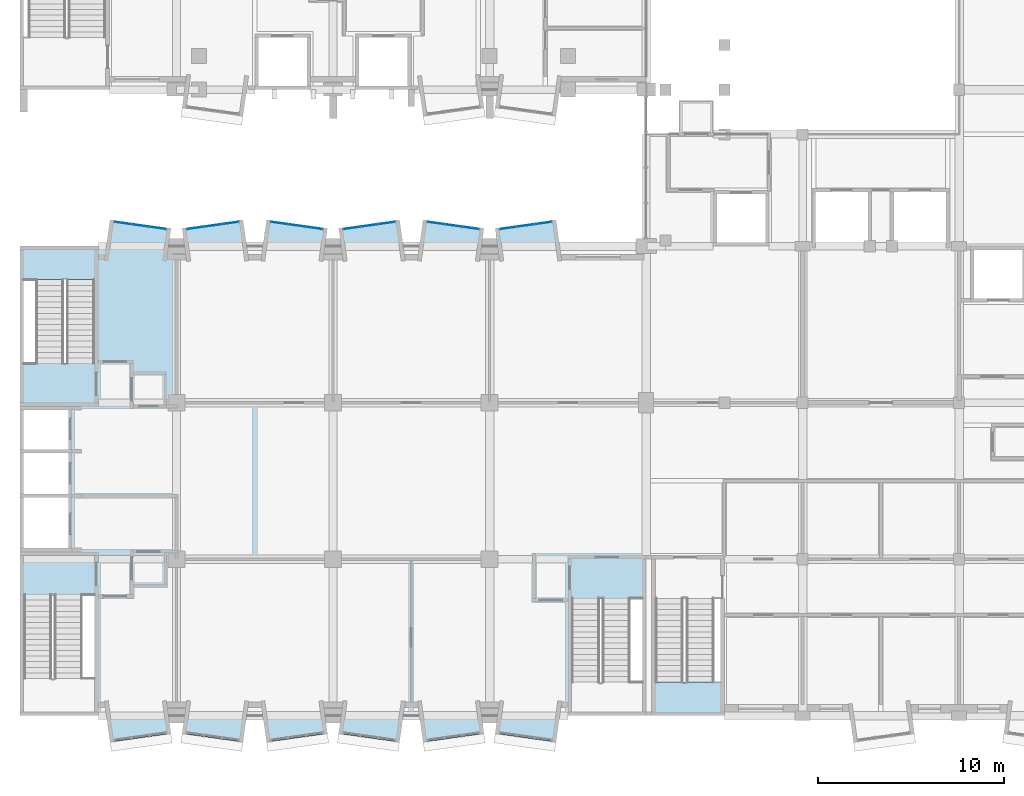
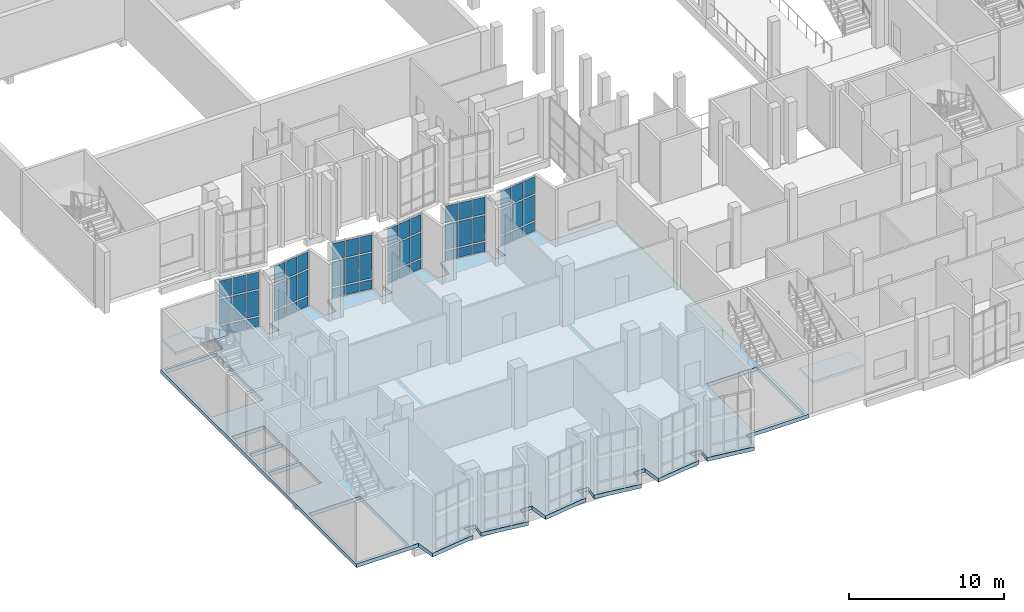
# One storey, part 21 of 91: 54 plates, 3 slabs, 8 elements without a shape of their own.
"""IFC4 building model written with IfcOpenShell, lengths in metres."""

from ifc_helpers import new_model, si_unit, direction, frame, origin, origin_2d, place, context, subcontext, project, spatial, polyline, rectangle, outline, extrude, material, layer, layer_set, type_object, element, aggregate, save


model = new_model("IFC4")

# Units and contexts
model_context = context("Model", 3, precision=1e-05, world=origin(), true_north=direction((0.0, 1.0)))
body_context = subcontext(model_context, "Body", "Model", "MODEL_VIEW")
ifc_project = project(units=[si_unit("LENGTHUNIT", "METRE"), si_unit("AREAUNIT", "SQUARE_METRE"), si_unit("VOLUMEUNIT", "CUBIC_METRE"), si_unit("PLANEANGLEUNIT", "RADIAN"), si_unit("MASSUNIT", "GRAM", prefix="KILO")], contexts=[model_context])

# Site, building, storey
site_placement = place(None, origin())
site = spatial("IfcSite", under=ifc_project, at=site_placement, CompositionType="ELEMENT")
building_placement = place(site_placement, origin())
building = spatial("IfcBuilding", under=site, at=building_placement, Name="Kiln Court Media Centre", CompositionType="ELEMENT")
storey_placement = place(building_placement, frame((0.0, 0.0, 5.39990234375)))
storey = spatial("IfcBuildingStorey", under=building, at=storey_placement, Name="L01", CompositionType="ELEMENT", Elevation=5.39990234375)

# Slab
ifc_material_1 = material(Name="Concrete C30/37", Category="concrete")
ifc_layer_1 = layer(ifc_material_1, 0.300048828125)
ifc_layer_set_1 = layer_set([ifc_layer_1], Name="Concrete C30/37 floor slab 300")
slab_type_1 = type_object("IfcSlabType", Name="Concrete C30/37 floor slab 300", PredefinedType="FLOOR", material=ifc_layer_set_1)
slab_1_placement = place(storey_placement, frame((0.0, 0.0, -0.2998046875)))
element("IfcSlab", 1, at=slab_1_placement, inside=storey, type_object=slab_type_1, Name="L01-SL-1000", PredefinedType="FLOOR", context=body_context, shape_type="SweptSolid", body=[
    extrude(outline(polyline([(4.8330078125, -1.41845703125), (4.63330078125, 0.0), (0.0, 0.0), (0.0, 25.199951171875), (4.63330078125, 25.199951171875), (4.8330078125, 26.618408203125), (8.10107421875, 26.1591796875), (7.966796875, 25.199951171875), (8.833251953125, 25.199951171875), (8.698974609375, 26.1591796875), (11.966796875, 26.618408203125), (12.166748046875, 25.199951171875), (13.033203125, 25.199951171875), (13.233154296875, 26.618408203125), (16.501220703125, 26.1591796875), (16.36669921875, 25.199951171875), (17.2333984375, 25.199951171875), (17.098876953125, 26.1591796875), (20.366943359375, 26.618408203125), (20.566650390625, 25.199951171875), (21.433349609375, 25.199951171875), (21.633056640625, 26.618408203125), (24.901123046875, 26.1591796875), (24.7666015625, 25.199951171875), (25.63330078125, 25.199951171875), (25.498779296875, 26.1591796875), (28.766845703125, 26.618408203125), (28.966796875, 25.199951171875), (33.60009765625, 25.199951171875), (33.60009765625, 0.0), (28.966796875, 0.0), (28.766845703125, -1.41845703125), (25.498779296875, -0.958984375), (25.63330078125, 0.0), (24.7666015625, 0.0), (24.901123046875, -0.959228515625), (21.633056640625, -1.41845703125), (21.433349609375, 0.0), (20.566650390625, 0.0), (20.366943359375, -1.41845703125), (17.098876953125, -0.958984375), (17.2333984375, 0.0), (16.36669921875, 0.0), (16.501220703125, -0.959228515625), (13.233154296875, -1.41845703125), (13.033203125, 0.0), (12.166748046875, 0.0), (11.966796875, -1.41845703125), (8.698974609375, -0.959228515625), (8.833251953125, 0.0), (7.966796875, 0.0), (8.10107421875, -0.958984375), (4.8330078125, -1.41845703125)]), holes=[polyline([(0.199951171875, 0.199951171875), (4.0, 0.199951171875), (4.0, 6.4599609375), (0.199951171875, 6.4599609375), (0.199951171875, 0.199951171875)]), polyline([(29.60009765625, 0.199951171875), (33.39990234375, 0.199951171875), (33.39990234375, 6.260009765625), (29.60009765625, 6.260009765625), (29.60009765625, 0.199951171875)]), polyline([(0.199951171875, 9.0), (2.60009765625, 9.0), (2.60009765625, 11.699951171875), (0.199951171875, 11.699951171875), (0.199951171875, 9.0)]), polyline([(0.199951171875, 11.89990234375), (2.60009765625, 11.89990234375), (2.60009765625, 14.10009765625), (0.199951171875, 14.10009765625), (0.199951171875, 11.89990234375)]), polyline([(0.199951171875, 14.300048828125), (2.60009765625, 14.300048828125), (2.60009765625, 16.39990234375), (0.199951171875, 16.39990234375), (0.199951171875, 14.300048828125)]), polyline([(0.199951171875, 18.93994140625), (4.0, 18.93994140625), (4.0, 25.0), (0.199951171875, 25.0), (0.199951171875, 18.93994140625)])]), origin(), (0.0, 0.0, 1.0), 0.2998046875),
])

# Stair, slab
ifc_material_2 = material(Name="Concrete C40/50", Category="concrete")
stair_type = type_object("IfcStairType", Name="Concrete C40/50 dog-leg stair 1500 wide, 150 riser", PredefinedType="HALF_TURN_STAIR", material=ifc_material_2)
stair_1_placement = place(storey_placement, origin())
stair_1 = element("IfcStair", 2, at=stair_1_placement, inside=storey, type_object=stair_type, Name="ST-02 L01", PredefinedType="HALF_TURN_STAIR")
ifc_material_3 = material(Name="Concrete C40/50", Category="concrete")
ifc_layer_2 = layer(ifc_material_3, 0.199951171875)
ifc_layer_set_2 = layer_set([ifc_layer_2], Name="Concrete C40/50 stair landing 200")
slab_type_2 = type_object("IfcSlabType", Name="Concrete C40/50 stair landing 200", PredefinedType="LANDING", material=ifc_layer_set_2)
slab_2_placement = place(storey_placement, frame((0.0, 0.0, 2.2001953125)))
slab_2 = element("IfcSlab", 3, at=slab_2_placement, type_object=slab_type_2, Name="L01-ST-5001 landing 5001", PredefinedType="LANDING", context=body_context, shape_type="SweptSolid", body=[
    extrude(outline(polyline([(4.1201171875, 23.39990234375), (4.1201171875, 25.1201171875), (0.080078125, 25.1201171875), (0.080078125, 23.39990234375), (4.1201171875, 23.39990234375)])), origin(), (0.0, 0.0, 1.0), 0.199951171875),
])
aggregate(stair_1, [slab_2])

stair_2_placement = place(storey_placement, origin())
stair_2 = element("IfcStair", 4, at=stair_2_placement, inside=storey, type_object=stair_type, Name="ST-04 L01", PredefinedType="HALF_TURN_STAIR")
slab_3_placement = place(storey_placement, frame((0.0, 0.0, 2.2001953125)))
slab_3 = element("IfcSlab", 5, at=slab_3_placement, type_object=slab_type_2, Name="L01-ST-5003 landing 5003", PredefinedType="LANDING", context=body_context, shape_type="SweptSolid", body=[
    extrude(outline(polyline([(33.97998046875, 1.800048828125), (33.97998046875, 0.080078125), (37.719970703125, 0.080078125), (37.719970703125, 1.800048828125), (33.97998046875, 1.800048828125)])), origin(), (0.0, 0.0, 1.0), 0.199951171875),
])
aggregate(stair_2, [slab_3])

# Curtain wall, plates
ifc_material_4 = material(Name="Aluminium 6063-T6", Category="aluminium")
ifc_layer_3 = layer(ifc_material_4, 0.1201171875)
ifc_layer_set_3 = layer_set([ifc_layer_3], Name="Aluminium unitised bay curtain wall")
curtain_wall_type = type_object("IfcCurtainWallType", Name="Aluminium unitised bay curtain wall", PredefinedType="USERDEFINED", material=ifc_layer_set_3)
curtain_wall_1_placement = place(storey_placement, origin())
curtain_wall_1 = element("IfcCurtainWall", 6, at=curtain_wall_1_placement, inside=storey, type_object=curtain_wall_type, Name="BAY V6A-N-L01-02 front", ObjectType="UNITISED CURTAIN WALL", PredefinedType="USERDEFINED")
ifc_material_5 = material(Name="Aluminium insulated spandrel", Category="aluminium")
ifc_layer_4 = layer(ifc_material_5, 0.028076171875)
ifc_layer_set_4 = layer_set([ifc_layer_4], Name="Insulated spandrel panel 28")
plate_type_1 = type_object("IfcPlateType", Name="Insulated spandrel panel 28", PredefinedType="CURTAIN_PANEL", material=ifc_layer_set_4)
plate_1_placement = place(storey_placement, frame((5.5234375, 26.440185546875, 0.1201171875), z_axis=(0.0, 0.0, 1.0), x_axis=(0.990269562409, -0.139162472554, 0.0)))
plate_1 = element("IfcPlate", 7, at=plate_1_placement, type_object=plate_type_1, Name="CW1-04 panel 1.1", PredefinedType="CURTAIN_PANEL", context=body_context, shape_type="SweptSolid", body=[
    extrude(rectangle(XDim=0.86669921875, YDim=0.028076171875, at=origin_2d()), origin(), (0.0, 0.0, 1.0), 0.719970703125),
])
plate_2_placement = place(storey_placement, frame((6.455810546875, 26.30908203125, 0.1201171875), z_axis=(0.0, 0.0, 1.0), x_axis=(0.990269562409, -0.139162472554, 0.0)))
plate_2 = element("IfcPlate", 8, at=plate_2_placement, type_object=plate_type_1, Name="CW1-04 panel 2.1", PredefinedType="CURTAIN_PANEL", context=body_context, shape_type="SweptSolid", body=[
    extrude(rectangle(XDim=0.896728515625, YDim=0.028076171875, at=origin_2d()), origin(), (0.0, 0.0, 1.0), 0.719970703125),
])
plate_3_placement = place(storey_placement, frame((7.388427734375, 26.177978515625, 0.1201171875), z_axis=(0.0, 0.0, 1.0), x_axis=(0.990269562409, -0.139162472554, 0.0)))
plate_3 = element("IfcPlate", 9, at=plate_3_placement, type_object=plate_type_1, Name="CW1-04 panel 3.1", PredefinedType="CURTAIN_PANEL", context=body_context, shape_type="SweptSolid", body=[
    extrude(rectangle(XDim=0.86669921875, YDim=0.028076171875, at=origin_2d()), origin(), (0.0, 0.0, 1.0), 0.719970703125),
])

curtain_wall_2_placement = place(storey_placement, origin())
curtain_wall_2 = element("IfcCurtainWall", 10, at=curtain_wall_2_placement, inside=storey, type_object=curtain_wall_type, Name="BAY V6A-N-L01-03 front", ObjectType="UNITISED CURTAIN WALL", PredefinedType="USERDEFINED")
plate_4_placement = place(storey_placement, frame((9.41162109375, 26.177978515625, 0.1201171875), z_axis=(0.0, 0.0, 1.0), x_axis=(0.990269562409, 0.139162472554, 0.0)))
plate_4 = element("IfcPlate", 11, at=plate_4_placement, type_object=plate_type_1, Name="CW1-05 panel 1.1", PredefinedType="CURTAIN_PANEL", context=body_context, shape_type="SweptSolid", body=[
    extrude(rectangle(XDim=0.86669921875, YDim=0.028076171875, at=origin_2d()), origin(), (0.0, 0.0, 1.0), 0.719970703125),
])
plate_5_placement = place(storey_placement, frame((10.34423828125, 26.30908203125, 0.1201171875), z_axis=(0.0, 0.0, 1.0), x_axis=(0.990269562409, 0.139162472554, 0.0)))
plate_5 = element("IfcPlate", 12, at=plate_5_placement, type_object=plate_type_1, Name="CW1-05 panel 2.1", PredefinedType="CURTAIN_PANEL", context=body_context, shape_type="SweptSolid", body=[
    extrude(rectangle(XDim=0.896728515625, YDim=0.028076171875, at=origin_2d()), origin(), (0.0, 0.0, 1.0), 0.719970703125),
])
plate_6_placement = place(storey_placement, frame((11.276611328125, 26.440185546875, 0.1201171875), z_axis=(0.0, 0.0, 1.0), x_axis=(0.990269562409, 0.139162472554, 0.0)))
plate_6 = element("IfcPlate", 13, at=plate_6_placement, type_object=plate_type_1, Name="CW1-05 panel 3.1", PredefinedType="CURTAIN_PANEL", context=body_context, shape_type="SweptSolid", body=[
    extrude(rectangle(XDim=0.86669921875, YDim=0.028076171875, at=origin_2d()), origin(), (0.0, 0.0, 1.0), 0.719970703125),
])

curtain_wall_3_placement = place(storey_placement, origin())
curtain_wall_3 = element("IfcCurtainWall", 14, at=curtain_wall_3_placement, inside=storey, type_object=curtain_wall_type, Name="BAY V6A-N-L01-04 front", ObjectType="UNITISED CURTAIN WALL", PredefinedType="USERDEFINED")
plate_7_placement = place(storey_placement, frame((13.92333984375, 26.440185546875, 0.1201171875), z_axis=(0.0, 0.0, 1.0), x_axis=(0.990269562409, -0.139162472554, 0.0)))
plate_7 = element("IfcPlate", 15, at=plate_7_placement, type_object=plate_type_1, Name="CW1-06 panel 1.1", PredefinedType="CURTAIN_PANEL", context=body_context, shape_type="SweptSolid", body=[
    extrude(rectangle(XDim=0.86669921875, YDim=0.028076171875, at=origin_2d()), origin(), (0.0, 0.0, 1.0), 0.719970703125),
])
plate_8_placement = place(storey_placement, frame((14.85595703125, 26.30908203125, 0.1201171875), z_axis=(0.0, 0.0, 1.0), x_axis=(0.990269562409, -0.139162472554, 0.0)))
plate_8 = element("IfcPlate", 16, at=plate_8_placement, type_object=plate_type_1, Name="CW1-06 panel 2.1", PredefinedType="CURTAIN_PANEL", context=body_context, shape_type="SweptSolid", body=[
    extrude(rectangle(XDim=0.896728515625, YDim=0.028076171875, at=origin_2d()), origin(), (0.0, 0.0, 1.0), 0.719970703125),
])
plate_9_placement = place(storey_placement, frame((15.788330078125, 26.177978515625, 0.1201171875), z_axis=(0.0, 0.0, 1.0), x_axis=(0.990269562409, -0.139162472554, 0.0)))
plate_9 = element("IfcPlate", 17, at=plate_9_placement, type_object=plate_type_1, Name="CW1-06 panel 3.1", PredefinedType="CURTAIN_PANEL", context=body_context, shape_type="SweptSolid", body=[
    extrude(rectangle(XDim=0.86669921875, YDim=0.028076171875, at=origin_2d()), origin(), (0.0, 0.0, 1.0), 0.719970703125),
])

curtain_wall_4_placement = place(storey_placement, origin())
curtain_wall_4 = element("IfcCurtainWall", 18, at=curtain_wall_4_placement, inside=storey, type_object=curtain_wall_type, Name="BAY V6A-N-L01-05 front", ObjectType="UNITISED CURTAIN WALL", PredefinedType="USERDEFINED")
plate_10_placement = place(storey_placement, frame((17.8115234375, 26.177978515625, 0.1201171875), z_axis=(0.0, 0.0, 1.0), x_axis=(0.990269562409, 0.139162472554, 0.0)))
plate_10 = element("IfcPlate", 19, at=plate_10_placement, type_object=plate_type_1, Name="CW1-07 panel 1.1", PredefinedType="CURTAIN_PANEL", context=body_context, shape_type="SweptSolid", body=[
    extrude(rectangle(XDim=0.86669921875, YDim=0.028076171875, at=origin_2d()), origin(), (0.0, 0.0, 1.0), 0.719970703125),
])
plate_11_placement = place(storey_placement, frame((18.744140625, 26.30908203125, 0.1201171875), z_axis=(0.0, 0.0, 1.0), x_axis=(0.990269562409, 0.139162472554, 0.0)))
plate_11 = element("IfcPlate", 20, at=plate_11_placement, type_object=plate_type_1, Name="CW1-07 panel 2.1", PredefinedType="CURTAIN_PANEL", context=body_context, shape_type="SweptSolid", body=[
    extrude(rectangle(XDim=0.896728515625, YDim=0.028076171875, at=origin_2d()), origin(), (0.0, 0.0, 1.0), 0.719970703125),
])
plate_12_placement = place(storey_placement, frame((19.6767578125, 26.440185546875, 0.1201171875), z_axis=(0.0, 0.0, 1.0), x_axis=(0.990269562409, 0.139162472554, 0.0)))
plate_12 = element("IfcPlate", 21, at=plate_12_placement, type_object=plate_type_1, Name="CW1-07 panel 3.1", PredefinedType="CURTAIN_PANEL", context=body_context, shape_type="SweptSolid", body=[
    extrude(rectangle(XDim=0.86669921875, YDim=0.028076171875, at=origin_2d()), origin(), (0.0, 0.0, 1.0), 0.719970703125),
])

curtain_wall_5_placement = place(storey_placement, origin())
curtain_wall_5 = element("IfcCurtainWall", 22, at=curtain_wall_5_placement, inside=storey, type_object=curtain_wall_type, Name="BAY V6A-N-L01-06 front", ObjectType="UNITISED CURTAIN WALL", PredefinedType="USERDEFINED")
plate_13_placement = place(storey_placement, frame((22.3232421875, 26.440185546875, 0.1201171875), z_axis=(0.0, 0.0, 1.0), x_axis=(0.990269562409, -0.139162472554, 0.0)))
plate_13 = element("IfcPlate", 23, at=plate_13_placement, type_object=plate_type_1, Name="CW1-08 panel 1.1", PredefinedType="CURTAIN_PANEL", context=body_context, shape_type="SweptSolid", body=[
    extrude(rectangle(XDim=0.86669921875, YDim=0.028076171875, at=origin_2d()), origin(), (0.0, 0.0, 1.0), 0.719970703125),
])
plate_14_placement = place(storey_placement, frame((23.255859375, 26.30908203125, 0.1201171875), z_axis=(0.0, 0.0, 1.0), x_axis=(0.990269562409, -0.139162472554, 0.0)))
plate_14 = element("IfcPlate", 24, at=plate_14_placement, type_object=plate_type_1, Name="CW1-08 panel 2.1", PredefinedType="CURTAIN_PANEL", context=body_context, shape_type="SweptSolid", body=[
    extrude(rectangle(XDim=0.896728515625, YDim=0.028076171875, at=origin_2d()), origin(), (0.0, 0.0, 1.0), 0.719970703125),
])
plate_15_placement = place(storey_placement, frame((24.1884765625, 26.177978515625, 0.1201171875), z_axis=(0.0, 0.0, 1.0), x_axis=(0.990269562409, -0.139162472554, 0.0)))
plate_15 = element("IfcPlate", 25, at=plate_15_placement, type_object=plate_type_1, Name="CW1-08 panel 3.1", PredefinedType="CURTAIN_PANEL", context=body_context, shape_type="SweptSolid", body=[
    extrude(rectangle(XDim=0.86669921875, YDim=0.028076171875, at=origin_2d()), origin(), (0.0, 0.0, 1.0), 0.719970703125),
])

curtain_wall_6_placement = place(storey_placement, origin())
curtain_wall_6 = element("IfcCurtainWall", 26, at=curtain_wall_6_placement, inside=storey, type_object=curtain_wall_type, Name="BAY V6A-N-L01-07 front", ObjectType="UNITISED CURTAIN WALL", PredefinedType="USERDEFINED")
plate_16_placement = place(storey_placement, frame((26.211669921875, 26.177978515625, 0.1201171875), z_axis=(0.0, 0.0, 1.0), x_axis=(0.990269562409, 0.139162472554, 0.0)))
plate_16 = element("IfcPlate", 27, at=plate_16_placement, type_object=plate_type_1, Name="CW1-09 panel 1.1", PredefinedType="CURTAIN_PANEL", context=body_context, shape_type="SweptSolid", body=[
    extrude(rectangle(XDim=0.86669921875, YDim=0.028076171875, at=origin_2d()), origin(), (0.0, 0.0, 1.0), 0.719970703125),
])
plate_17_placement = place(storey_placement, frame((27.14404296875, 26.30908203125, 0.1201171875), z_axis=(0.0, 0.0, 1.0), x_axis=(0.990269562409, 0.139162472554, 0.0)))
plate_17 = element("IfcPlate", 28, at=plate_17_placement, type_object=plate_type_1, Name="CW1-09 panel 2.1", PredefinedType="CURTAIN_PANEL", context=body_context, shape_type="SweptSolid", body=[
    extrude(rectangle(XDim=0.896728515625, YDim=0.028076171875, at=origin_2d()), origin(), (0.0, 0.0, 1.0), 0.719970703125),
])
plate_18_placement = place(storey_placement, frame((28.07666015625, 26.440185546875, 0.1201171875), z_axis=(0.0, 0.0, 1.0), x_axis=(0.990269562409, 0.139162472554, 0.0)))
plate_18 = element("IfcPlate", 29, at=plate_18_placement, type_object=plate_type_1, Name="CW1-09 panel 3.1", PredefinedType="CURTAIN_PANEL", context=body_context, shape_type="SweptSolid", body=[
    extrude(rectangle(XDim=0.86669921875, YDim=0.028076171875, at=origin_2d()), origin(), (0.0, 0.0, 1.0), 0.719970703125),
])

# Plate
ifc_material_6 = material(Name="Low-E double glazing", Category="glass")
ifc_layer_5 = layer(ifc_material_6, 0.028076171875)
ifc_layer_set_5 = layer_set([ifc_layer_5], Name="Low-E double glazed panel 28")
plate_type_2 = type_object("IfcPlateType", Name="Low-E double glazed panel 28", PredefinedType="CURTAIN_PANEL", material=ifc_layer_set_5)
plate_19_placement = place(storey_placement, frame((5.5234375, 26.440185546875, 0.960205078125), z_axis=(0.0, 0.0, 1.0), x_axis=(0.990269562409, -0.139162472554, 0.0)))
plate_19 = element("IfcPlate", 30, at=plate_19_placement, type_object=plate_type_2, Name="CW1-04 panel 1.2", PredefinedType="CURTAIN_PANEL", context=body_context, shape_type="SweptSolid", body=[
    extrude(rectangle(XDim=0.86669921875, YDim=0.028076171875, at=origin_2d()), origin(), (0.0, 0.0, 1.0), 1.97998046875),
])

plate_20_placement = place(storey_placement, frame((5.5234375, 26.440185546875, 3.06005859375), z_axis=(0.0, 0.0, 1.0), x_axis=(0.990269562409, -0.139162472554, 0.0)))
plate_20 = element("IfcPlate", 31, at=plate_20_placement, type_object=plate_type_2, Name="CW1-04 panel 1.3", PredefinedType="CURTAIN_PANEL", context=body_context, shape_type="SweptSolid", body=[
    extrude(rectangle(XDim=0.86669921875, YDim=0.028076171875, at=origin_2d()), origin(), (0.0, 0.0, 1.0), 1.320068359375),
])

plate_21_placement = place(storey_placement, frame((6.455810546875, 26.30908203125, 0.960205078125), z_axis=(0.0, 0.0, 1.0), x_axis=(0.990269562409, -0.139162472554, 0.0)))
plate_21 = element("IfcPlate", 32, at=plate_21_placement, type_object=plate_type_2, Name="CW1-04 panel 2.2", PredefinedType="CURTAIN_PANEL", context=body_context, shape_type="SweptSolid", body=[
    extrude(rectangle(XDim=0.896728515625, YDim=0.028076171875, at=origin_2d()), origin(), (0.0, 0.0, 1.0), 1.97998046875),
])

plate_22_placement = place(storey_placement, frame((6.455810546875, 26.30908203125, 3.06005859375), z_axis=(0.0, 0.0, 1.0), x_axis=(0.990269562409, -0.139162472554, 0.0)))
plate_22 = element("IfcPlate", 33, at=plate_22_placement, type_object=plate_type_2, Name="CW1-04 panel 2.3", PredefinedType="CURTAIN_PANEL", context=body_context, shape_type="SweptSolid", body=[
    extrude(rectangle(XDim=0.896728515625, YDim=0.028076171875, at=origin_2d()), origin(), (0.0, 0.0, 1.0), 1.320068359375),
])

plate_23_placement = place(storey_placement, frame((7.388427734375, 26.177978515625, 0.960205078125), z_axis=(0.0, 0.0, 1.0), x_axis=(0.990269562409, -0.139162472554, 0.0)))
plate_23 = element("IfcPlate", 34, at=plate_23_placement, type_object=plate_type_2, Name="CW1-04 panel 3.2", PredefinedType="CURTAIN_PANEL", context=body_context, shape_type="SweptSolid", body=[
    extrude(rectangle(XDim=0.86669921875, YDim=0.028076171875, at=origin_2d()), origin(), (0.0, 0.0, 1.0), 1.97998046875),
])

plate_24_placement = place(storey_placement, frame((7.388427734375, 26.177978515625, 3.06005859375), z_axis=(0.0, 0.0, 1.0), x_axis=(0.990269562409, -0.139162472554, 0.0)))
plate_24 = element("IfcPlate", 35, at=plate_24_placement, type_object=plate_type_2, Name="CW1-04 panel 3.3", PredefinedType="CURTAIN_PANEL", context=body_context, shape_type="SweptSolid", body=[
    extrude(rectangle(XDim=0.86669921875, YDim=0.028076171875, at=origin_2d()), origin(), (0.0, 0.0, 1.0), 1.320068359375),
])

aggregate(curtain_wall_1, [plate_1, plate_19, plate_20, plate_2, plate_21, plate_22, plate_3, plate_23, plate_24])

plate_25_placement = place(storey_placement, frame((9.41162109375, 26.177978515625, 0.960205078125), z_axis=(0.0, 0.0, 1.0), x_axis=(0.990269562409, 0.139162472554, 0.0)))
plate_25 = element("IfcPlate", 36, at=plate_25_placement, type_object=plate_type_2, Name="CW1-05 panel 1.2", PredefinedType="CURTAIN_PANEL", context=body_context, shape_type="SweptSolid", body=[
    extrude(rectangle(XDim=0.86669921875, YDim=0.028076171875, at=origin_2d()), origin(), (0.0, 0.0, 1.0), 1.97998046875),
])

plate_26_placement = place(storey_placement, frame((9.41162109375, 26.177978515625, 3.06005859375), z_axis=(0.0, 0.0, 1.0), x_axis=(0.990269562409, 0.139162472554, 0.0)))
plate_26 = element("IfcPlate", 37, at=plate_26_placement, type_object=plate_type_2, Name="CW1-05 panel 1.3", PredefinedType="CURTAIN_PANEL", context=body_context, shape_type="SweptSolid", body=[
    extrude(rectangle(XDim=0.86669921875, YDim=0.028076171875, at=origin_2d()), origin(), (0.0, 0.0, 1.0), 1.320068359375),
])

plate_27_placement = place(storey_placement, frame((10.34423828125, 26.30908203125, 0.960205078125), z_axis=(0.0, 0.0, 1.0), x_axis=(0.990269562409, 0.139162472554, 0.0)))
plate_27 = element("IfcPlate", 38, at=plate_27_placement, type_object=plate_type_2, Name="CW1-05 panel 2.2", PredefinedType="CURTAIN_PANEL", context=body_context, shape_type="SweptSolid", body=[
    extrude(rectangle(XDim=0.896728515625, YDim=0.028076171875, at=origin_2d()), origin(), (0.0, 0.0, 1.0), 1.97998046875),
])

plate_28_placement = place(storey_placement, frame((10.34423828125, 26.30908203125, 3.06005859375), z_axis=(0.0, 0.0, 1.0), x_axis=(0.990269562409, 0.139162472554, 0.0)))
plate_28 = element("IfcPlate", 39, at=plate_28_placement, type_object=plate_type_2, Name="CW1-05 panel 2.3", PredefinedType="CURTAIN_PANEL", context=body_context, shape_type="SweptSolid", body=[
    extrude(rectangle(XDim=0.896728515625, YDim=0.028076171875, at=origin_2d()), origin(), (0.0, 0.0, 1.0), 1.320068359375),
])

plate_29_placement = place(storey_placement, frame((11.276611328125, 26.440185546875, 0.960205078125), z_axis=(0.0, 0.0, 1.0), x_axis=(0.990269562409, 0.139162472554, 0.0)))
plate_29 = element("IfcPlate", 40, at=plate_29_placement, type_object=plate_type_2, Name="CW1-05 panel 3.2", PredefinedType="CURTAIN_PANEL", context=body_context, shape_type="SweptSolid", body=[
    extrude(rectangle(XDim=0.86669921875, YDim=0.028076171875, at=origin_2d()), origin(), (0.0, 0.0, 1.0), 1.97998046875),
])

plate_30_placement = place(storey_placement, frame((11.276611328125, 26.440185546875, 3.06005859375), z_axis=(0.0, 0.0, 1.0), x_axis=(0.990269562409, 0.139162472554, 0.0)))
plate_30 = element("IfcPlate", 41, at=plate_30_placement, type_object=plate_type_2, Name="CW1-05 panel 3.3", PredefinedType="CURTAIN_PANEL", context=body_context, shape_type="SweptSolid", body=[
    extrude(rectangle(XDim=0.86669921875, YDim=0.028076171875, at=origin_2d()), origin(), (0.0, 0.0, 1.0), 1.320068359375),
])

aggregate(curtain_wall_2, [plate_4, plate_25, plate_26, plate_5, plate_27, plate_28, plate_6, plate_29, plate_30])

plate_31_placement = place(storey_placement, frame((13.92333984375, 26.440185546875, 0.960205078125), z_axis=(0.0, 0.0, 1.0), x_axis=(0.990269562409, -0.139162472554, 0.0)))
plate_31 = element("IfcPlate", 42, at=plate_31_placement, type_object=plate_type_2, Name="CW1-06 panel 1.2", PredefinedType="CURTAIN_PANEL", context=body_context, shape_type="SweptSolid", body=[
    extrude(rectangle(XDim=0.86669921875, YDim=0.028076171875, at=origin_2d()), origin(), (0.0, 0.0, 1.0), 1.97998046875),
])

plate_32_placement = place(storey_placement, frame((13.92333984375, 26.440185546875, 3.06005859375), z_axis=(0.0, 0.0, 1.0), x_axis=(0.990269562409, -0.139162472554, 0.0)))
plate_32 = element("IfcPlate", 43, at=plate_32_placement, type_object=plate_type_2, Name="CW1-06 panel 1.3", PredefinedType="CURTAIN_PANEL", context=body_context, shape_type="SweptSolid", body=[
    extrude(rectangle(XDim=0.86669921875, YDim=0.028076171875, at=origin_2d()), origin(), (0.0, 0.0, 1.0), 1.320068359375),
])

plate_33_placement = place(storey_placement, frame((14.85595703125, 26.30908203125, 0.960205078125), z_axis=(0.0, 0.0, 1.0), x_axis=(0.990269562409, -0.139162472554, 0.0)))
plate_33 = element("IfcPlate", 44, at=plate_33_placement, type_object=plate_type_2, Name="CW1-06 panel 2.2", PredefinedType="CURTAIN_PANEL", context=body_context, shape_type="SweptSolid", body=[
    extrude(rectangle(XDim=0.896728515625, YDim=0.028076171875, at=origin_2d()), origin(), (0.0, 0.0, 1.0), 1.97998046875),
])

plate_34_placement = place(storey_placement, frame((14.85595703125, 26.30908203125, 3.06005859375), z_axis=(0.0, 0.0, 1.0), x_axis=(0.990269562409, -0.139162472554, 0.0)))
plate_34 = element("IfcPlate", 45, at=plate_34_placement, type_object=plate_type_2, Name="CW1-06 panel 2.3", PredefinedType="CURTAIN_PANEL", context=body_context, shape_type="SweptSolid", body=[
    extrude(rectangle(XDim=0.896728515625, YDim=0.028076171875, at=origin_2d()), origin(), (0.0, 0.0, 1.0), 1.320068359375),
])

plate_35_placement = place(storey_placement, frame((15.788330078125, 26.177978515625, 0.960205078125), z_axis=(0.0, 0.0, 1.0), x_axis=(0.990269562409, -0.139162472554, 0.0)))
plate_35 = element("IfcPlate", 46, at=plate_35_placement, type_object=plate_type_2, Name="CW1-06 panel 3.2", PredefinedType="CURTAIN_PANEL", context=body_context, shape_type="SweptSolid", body=[
    extrude(rectangle(XDim=0.86669921875, YDim=0.028076171875, at=origin_2d()), origin(), (0.0, 0.0, 1.0), 1.97998046875),
])

plate_36_placement = place(storey_placement, frame((15.788330078125, 26.177978515625, 3.06005859375), z_axis=(0.0, 0.0, 1.0), x_axis=(0.990269562409, -0.139162472554, 0.0)))
plate_36 = element("IfcPlate", 47, at=plate_36_placement, type_object=plate_type_2, Name="CW1-06 panel 3.3", PredefinedType="CURTAIN_PANEL", context=body_context, shape_type="SweptSolid", body=[
    extrude(rectangle(XDim=0.86669921875, YDim=0.028076171875, at=origin_2d()), origin(), (0.0, 0.0, 1.0), 1.320068359375),
])

aggregate(curtain_wall_3, [plate_7, plate_31, plate_32, plate_8, plate_33, plate_34, plate_9, plate_35, plate_36])

plate_37_placement = place(storey_placement, frame((17.8115234375, 26.177978515625, 0.960205078125), z_axis=(0.0, 0.0, 1.0), x_axis=(0.990269562409, 0.139162472554, 0.0)))
plate_37 = element("IfcPlate", 48, at=plate_37_placement, type_object=plate_type_2, Name="CW1-07 panel 1.2", PredefinedType="CURTAIN_PANEL", context=body_context, shape_type="SweptSolid", body=[
    extrude(rectangle(XDim=0.86669921875, YDim=0.028076171875, at=origin_2d()), origin(), (0.0, 0.0, 1.0), 1.97998046875),
])

plate_38_placement = place(storey_placement, frame((17.8115234375, 26.177978515625, 3.06005859375), z_axis=(0.0, 0.0, 1.0), x_axis=(0.990269562409, 0.139162472554, 0.0)))
plate_38 = element("IfcPlate", 49, at=plate_38_placement, type_object=plate_type_2, Name="CW1-07 panel 1.3", PredefinedType="CURTAIN_PANEL", context=body_context, shape_type="SweptSolid", body=[
    extrude(rectangle(XDim=0.86669921875, YDim=0.028076171875, at=origin_2d()), origin(), (0.0, 0.0, 1.0), 1.320068359375),
])

plate_39_placement = place(storey_placement, frame((18.744140625, 26.30908203125, 0.960205078125), z_axis=(0.0, 0.0, 1.0), x_axis=(0.990269562409, 0.139162472554, 0.0)))
plate_39 = element("IfcPlate", 50, at=plate_39_placement, type_object=plate_type_2, Name="CW1-07 panel 2.2", PredefinedType="CURTAIN_PANEL", context=body_context, shape_type="SweptSolid", body=[
    extrude(rectangle(XDim=0.896728515625, YDim=0.028076171875, at=origin_2d()), origin(), (0.0, 0.0, 1.0), 1.97998046875),
])

plate_40_placement = place(storey_placement, frame((18.744140625, 26.30908203125, 3.06005859375), z_axis=(0.0, 0.0, 1.0), x_axis=(0.990269562409, 0.139162472554, 0.0)))
plate_40 = element("IfcPlate", 51, at=plate_40_placement, type_object=plate_type_2, Name="CW1-07 panel 2.3", PredefinedType="CURTAIN_PANEL", context=body_context, shape_type="SweptSolid", body=[
    extrude(rectangle(XDim=0.896728515625, YDim=0.028076171875, at=origin_2d()), origin(), (0.0, 0.0, 1.0), 1.320068359375),
])

plate_41_placement = place(storey_placement, frame((19.6767578125, 26.440185546875, 0.960205078125), z_axis=(0.0, 0.0, 1.0), x_axis=(0.990269562409, 0.139162472554, 0.0)))
plate_41 = element("IfcPlate", 52, at=plate_41_placement, type_object=plate_type_2, Name="CW1-07 panel 3.2", PredefinedType="CURTAIN_PANEL", context=body_context, shape_type="SweptSolid", body=[
    extrude(rectangle(XDim=0.86669921875, YDim=0.028076171875, at=origin_2d()), origin(), (0.0, 0.0, 1.0), 1.97998046875),
])

plate_42_placement = place(storey_placement, frame((19.6767578125, 26.440185546875, 3.06005859375), z_axis=(0.0, 0.0, 1.0), x_axis=(0.990269562409, 0.139162472554, 0.0)))
plate_42 = element("IfcPlate", 53, at=plate_42_placement, type_object=plate_type_2, Name="CW1-07 panel 3.3", PredefinedType="CURTAIN_PANEL", context=body_context, shape_type="SweptSolid", body=[
    extrude(rectangle(XDim=0.86669921875, YDim=0.028076171875, at=origin_2d()), origin(), (0.0, 0.0, 1.0), 1.320068359375),
])

aggregate(curtain_wall_4, [plate_10, plate_37, plate_38, plate_11, plate_39, plate_40, plate_12, plate_41, plate_42])

plate_43_placement = place(storey_placement, frame((22.3232421875, 26.440185546875, 0.960205078125), z_axis=(0.0, 0.0, 1.0), x_axis=(0.990269562409, -0.139162472554, 0.0)))
plate_43 = element("IfcPlate", 54, at=plate_43_placement, type_object=plate_type_2, Name="CW1-08 panel 1.2", PredefinedType="CURTAIN_PANEL", context=body_context, shape_type="SweptSolid", body=[
    extrude(rectangle(XDim=0.86669921875, YDim=0.028076171875, at=origin_2d()), origin(), (0.0, 0.0, 1.0), 1.97998046875),
])

plate_44_placement = place(storey_placement, frame((22.3232421875, 26.440185546875, 3.06005859375), z_axis=(0.0, 0.0, 1.0), x_axis=(0.990269562409, -0.139162472554, 0.0)))
plate_44 = element("IfcPlate", 55, at=plate_44_placement, type_object=plate_type_2, Name="CW1-08 panel 1.3", PredefinedType="CURTAIN_PANEL", context=body_context, shape_type="SweptSolid", body=[
    extrude(rectangle(XDim=0.86669921875, YDim=0.028076171875, at=origin_2d()), origin(), (0.0, 0.0, 1.0), 1.320068359375),
])

plate_45_placement = place(storey_placement, frame((23.255859375, 26.30908203125, 0.960205078125), z_axis=(0.0, 0.0, 1.0), x_axis=(0.990269562409, -0.139162472554, 0.0)))
plate_45 = element("IfcPlate", 56, at=plate_45_placement, type_object=plate_type_2, Name="CW1-08 panel 2.2", PredefinedType="CURTAIN_PANEL", context=body_context, shape_type="SweptSolid", body=[
    extrude(rectangle(XDim=0.896728515625, YDim=0.028076171875, at=origin_2d()), origin(), (0.0, 0.0, 1.0), 1.97998046875),
])

plate_46_placement = place(storey_placement, frame((23.255859375, 26.30908203125, 3.06005859375), z_axis=(0.0, 0.0, 1.0), x_axis=(0.990269562409, -0.139162472554, 0.0)))
plate_46 = element("IfcPlate", 57, at=plate_46_placement, type_object=plate_type_2, Name="CW1-08 panel 2.3", PredefinedType="CURTAIN_PANEL", context=body_context, shape_type="SweptSolid", body=[
    extrude(rectangle(XDim=0.896728515625, YDim=0.028076171875, at=origin_2d()), origin(), (0.0, 0.0, 1.0), 1.320068359375),
])

plate_47_placement = place(storey_placement, frame((24.1884765625, 26.177978515625, 0.960205078125), z_axis=(0.0, 0.0, 1.0), x_axis=(0.990269562409, -0.139162472554, 0.0)))
plate_47 = element("IfcPlate", 58, at=plate_47_placement, type_object=plate_type_2, Name="CW1-08 panel 3.2", PredefinedType="CURTAIN_PANEL", context=body_context, shape_type="SweptSolid", body=[
    extrude(rectangle(XDim=0.86669921875, YDim=0.028076171875, at=origin_2d()), origin(), (0.0, 0.0, 1.0), 1.97998046875),
])

plate_48_placement = place(storey_placement, frame((24.1884765625, 26.177978515625, 3.06005859375), z_axis=(0.0, 0.0, 1.0), x_axis=(0.990269562409, -0.139162472554, 0.0)))
plate_48 = element("IfcPlate", 59, at=plate_48_placement, type_object=plate_type_2, Name="CW1-08 panel 3.3", PredefinedType="CURTAIN_PANEL", context=body_context, shape_type="SweptSolid", body=[
    extrude(rectangle(XDim=0.86669921875, YDim=0.028076171875, at=origin_2d()), origin(), (0.0, 0.0, 1.0), 1.320068359375),
])

aggregate(curtain_wall_5, [plate_13, plate_43, plate_44, plate_14, plate_45, plate_46, plate_15, plate_47, plate_48])

plate_49_placement = place(storey_placement, frame((26.211669921875, 26.177978515625, 0.960205078125), z_axis=(0.0, 0.0, 1.0), x_axis=(0.990269562409, 0.139162472554, 0.0)))
plate_49 = element("IfcPlate", 60, at=plate_49_placement, type_object=plate_type_2, Name="CW1-09 panel 1.2", PredefinedType="CURTAIN_PANEL", context=body_context, shape_type="SweptSolid", body=[
    extrude(rectangle(XDim=0.86669921875, YDim=0.028076171875, at=origin_2d()), origin(), (0.0, 0.0, 1.0), 1.97998046875),
])

plate_50_placement = place(storey_placement, frame((26.211669921875, 26.177978515625, 3.06005859375), z_axis=(0.0, 0.0, 1.0), x_axis=(0.990269562409, 0.139162472554, 0.0)))
plate_50 = element("IfcPlate", 61, at=plate_50_placement, type_object=plate_type_2, Name="CW1-09 panel 1.3", PredefinedType="CURTAIN_PANEL", context=body_context, shape_type="SweptSolid", body=[
    extrude(rectangle(XDim=0.86669921875, YDim=0.028076171875, at=origin_2d()), origin(), (0.0, 0.0, 1.0), 1.320068359375),
])

plate_51_placement = place(storey_placement, frame((27.14404296875, 26.30908203125, 0.960205078125), z_axis=(0.0, 0.0, 1.0), x_axis=(0.990269562409, 0.139162472554, 0.0)))
plate_51 = element("IfcPlate", 62, at=plate_51_placement, type_object=plate_type_2, Name="CW1-09 panel 2.2", PredefinedType="CURTAIN_PANEL", context=body_context, shape_type="SweptSolid", body=[
    extrude(rectangle(XDim=0.896728515625, YDim=0.028076171875, at=origin_2d()), origin(), (0.0, 0.0, 1.0), 1.97998046875),
])

plate_52_placement = place(storey_placement, frame((27.14404296875, 26.30908203125, 3.06005859375), z_axis=(0.0, 0.0, 1.0), x_axis=(0.990269562409, 0.139162472554, 0.0)))
plate_52 = element("IfcPlate", 63, at=plate_52_placement, type_object=plate_type_2, Name="CW1-09 panel 2.3", PredefinedType="CURTAIN_PANEL", context=body_context, shape_type="SweptSolid", body=[
    extrude(rectangle(XDim=0.896728515625, YDim=0.028076171875, at=origin_2d()), origin(), (0.0, 0.0, 1.0), 1.320068359375),
])

plate_53_placement = place(storey_placement, frame((28.07666015625, 26.440185546875, 0.960205078125), z_axis=(0.0, 0.0, 1.0), x_axis=(0.990269562409, 0.139162472554, 0.0)))
plate_53 = element("IfcPlate", 64, at=plate_53_placement, type_object=plate_type_2, Name="CW1-09 panel 3.2", PredefinedType="CURTAIN_PANEL", context=body_context, shape_type="SweptSolid", body=[
    extrude(rectangle(XDim=0.86669921875, YDim=0.028076171875, at=origin_2d()), origin(), (0.0, 0.0, 1.0), 1.97998046875),
])

plate_54_placement = place(storey_placement, frame((28.07666015625, 26.440185546875, 3.06005859375), z_axis=(0.0, 0.0, 1.0), x_axis=(0.990269562409, 0.139162472554, 0.0)))
plate_54 = element("IfcPlate", 65, at=plate_54_placement, type_object=plate_type_2, Name="CW1-09 panel 3.3", PredefinedType="CURTAIN_PANEL", context=body_context, shape_type="SweptSolid", body=[
    extrude(rectangle(XDim=0.86669921875, YDim=0.028076171875, at=origin_2d()), origin(), (0.0, 0.0, 1.0), 1.320068359375),
])

aggregate(curtain_wall_6, [plate_16, plate_49, plate_50, plate_17, plate_51, plate_52, plate_18, plate_53, plate_54])

save(model, "model.ifc")
